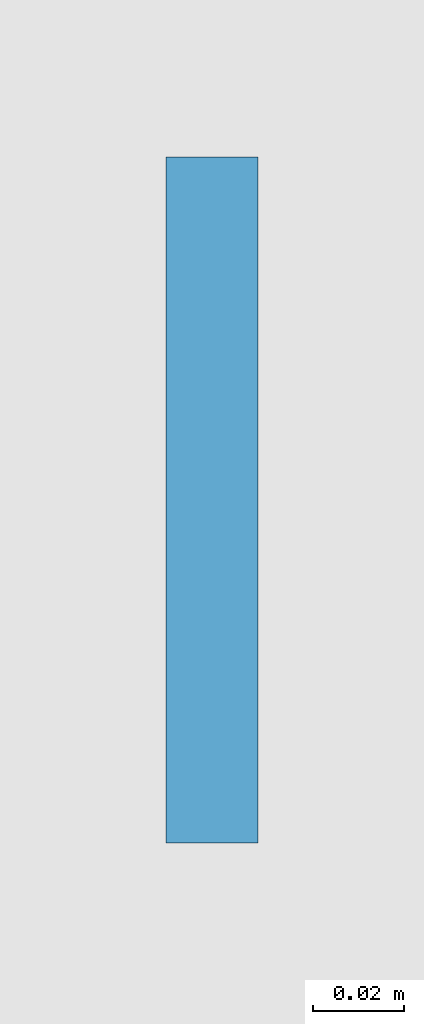
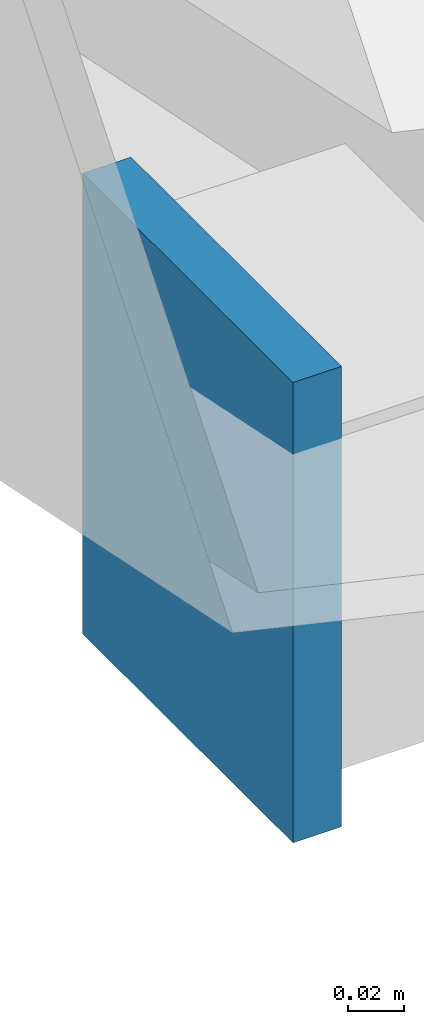
# One storey, part 69 of 85: 1 plate.
"""IFC4 building model written with IfcOpenShell, lengths in metres."""

from ifc_helpers import new_model, si_unit, derived_unit, direction, frame, origin, origin_2d, place, context, subcontext, project, spatial, rectangle, extrude, material, layer, layer_set, type_object, element, save


model = new_model("IFC4")

# Units and contexts
model_context = context("Model", 3, precision=1e-05, world=origin(), true_north=direction((0.0, 1.0)))
body_context = subcontext(model_context, "Body", "Model", "MODEL_VIEW")
ifc_project = project(units=[si_unit("LENGTHUNIT", "METRE"), si_unit("AREAUNIT", "SQUARE_METRE"), si_unit("VOLUMEUNIT", "CUBIC_METRE"), si_unit("PLANEANGLEUNIT", "RADIAN"), si_unit("MASSUNIT", "GRAM", prefix="KILO"), derived_unit("THERMALTRANSMITTANCEUNIT", [(si_unit("POWERUNIT", "WATT"), 1), (si_unit("LENGTHUNIT", "METRE"), -2), (si_unit("THERMODYNAMICTEMPERATUREUNIT", "KELVIN"), -1)])], contexts=[model_context])

# Site, building, storey
site_placement = place(None, origin())
site = spatial("IfcSite", under=ifc_project, at=site_placement, CompositionType="ELEMENT")
building_placement = place(site_placement, origin())
building = spatial("IfcBuilding", under=site, at=building_placement, Name="Nallur Shell Playhouse", CompositionType="ELEMENT")
storey_placement = place(building_placement, frame((0.0, 0.0, 19.800048828125)))
storey = spatial("IfcBuildingStorey", under=building, at=storey_placement, Name="L05", CompositionType="ELEMENT", Elevation=19.800048828125)

# Plate
ifc_material = material(Name="Steel E350", Category="steel")
ifc_layer = layer(ifc_material, 0.02001953125)
ifc_layer_set = layer_set([ifc_layer], Name="Steel E350")
plate_type = type_object("IfcPlateType", Name="PT-ENDCAP-20", PredefinedType="SHEET", material=ifc_layer_set)
plate_placement = place(storey_placement, frame((135.389892578125, 52.0, 0.330078125), z_axis=(0.0, 0.0, 1.0), x_axis=(1.0, 0.0, 0.0)))
element("IfcPlate", 1, at=plate_placement, inside=storey, type_object=plate_type, Name="Hollow end cap EC-PUR-ST-06", PredefinedType="SHEET", context=body_context, shape_type="SweptSolid", body=[
    extrude(rectangle(XDim=0.02001953125, YDim=0.14990234375, at=origin_2d()), origin(), (0.0, 0.0, 1.0), 0.199951171875),
])

save(model, "model.ifc")
